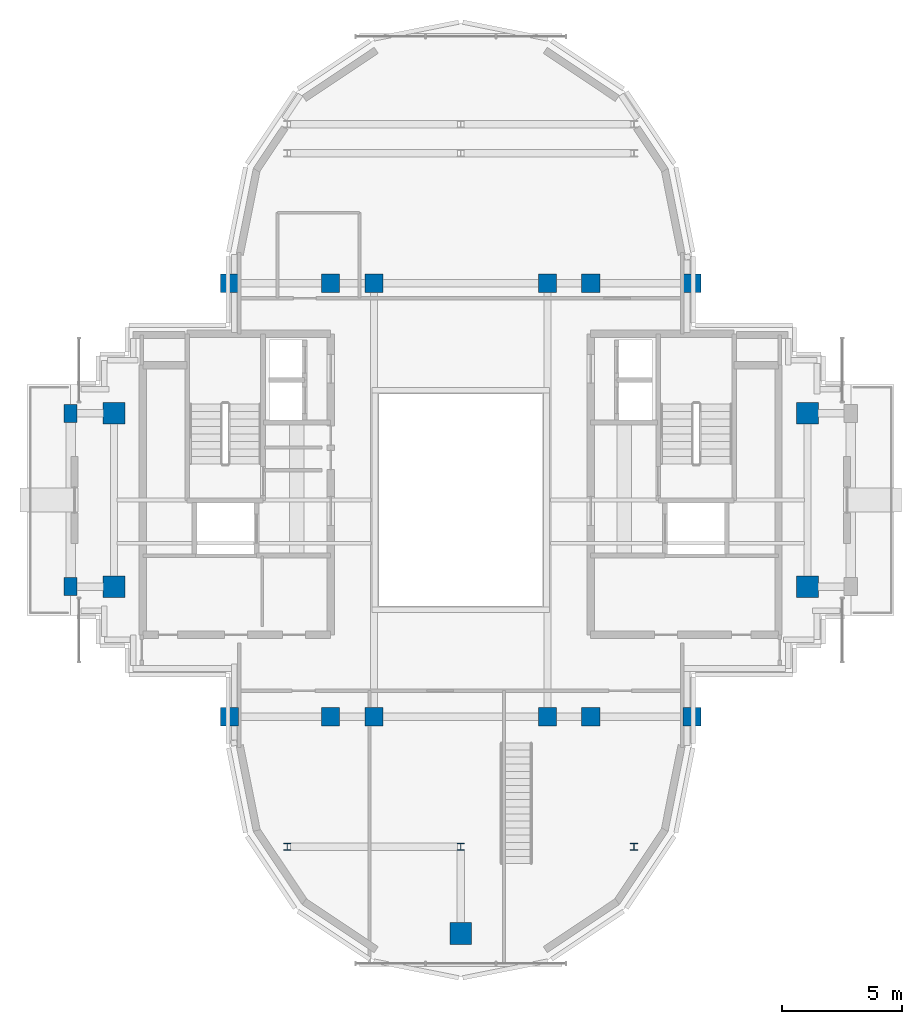
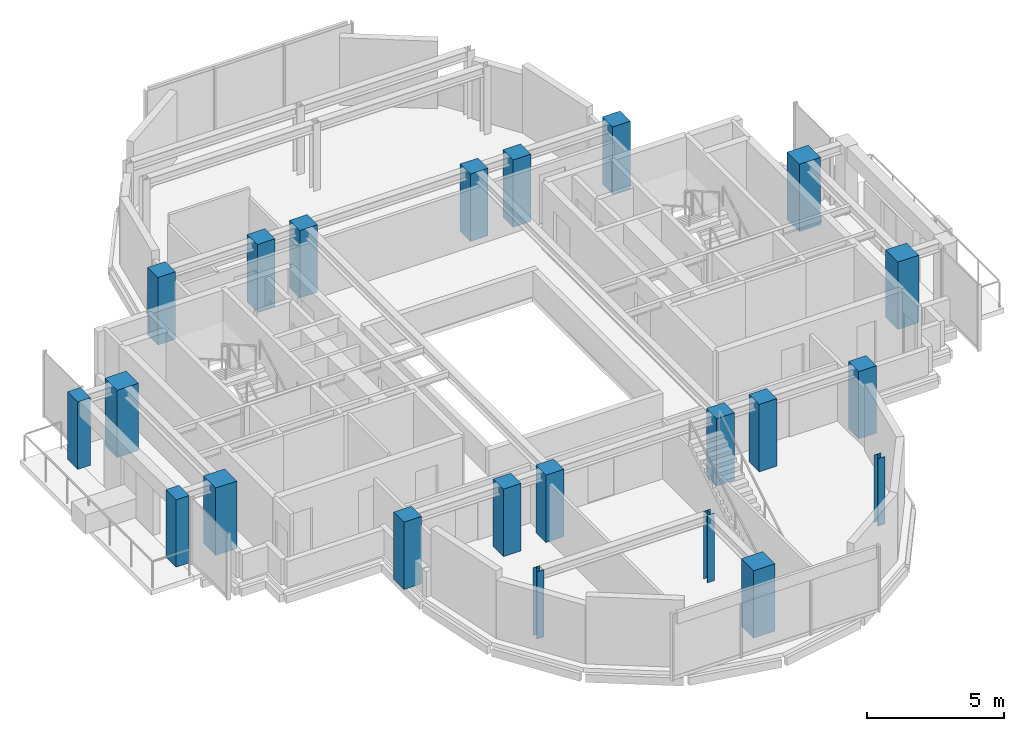
# One storey, part 1 of 12: 22 columns.
"""IFC4 building model written with IfcOpenShell, lengths in metres."""

from ifc_helpers import new_model, si_unit, direction, frame, origin, origin_2d, place, context, subcontext, project, spatial, rectangle, i_section, extrude, source, transform, mapped, material, material_profile, profile_set, type_object, element, save


model = new_model("IFC4")

# Units and contexts
model_context = context("Model", 3, precision=1e-05, world=origin(), true_north=direction((0.0, 1.0)))
body_context = subcontext(model_context, "Body", "Model", "MODEL_VIEW")
ifc_project = project(units=[si_unit("LENGTHUNIT", "METRE"), si_unit("AREAUNIT", "SQUARE_METRE"), si_unit("VOLUMEUNIT", "CUBIC_METRE"), si_unit("PLANEANGLEUNIT", "RADIAN"), si_unit("MASSUNIT", "GRAM", prefix="KILO")], contexts=[model_context])

# Site, building, storey
site_placement = place(None, origin())
site = spatial("IfcSite", under=ifc_project, at=site_placement, CompositionType="ELEMENT")
building_placement = place(site_placement, origin())
building = spatial("IfcBuilding", under=site, at=building_placement, Name="Keilestroom Media Tower", CompositionType="ELEMENT")
storey_placement = place(building_placement, frame((0.0, 0.0, 252.39990234375)))
storey = spatial("IfcBuildingStorey", under=building, at=storey_placement, Name="L70", CompositionType="ELEMENT", Elevation=252.39990234375)

# Columns
ifc_material_1 = material(Name="Precast concrete C40/50", Category="concrete")
ifc_material_profile_1 = material_profile(ifc_material_1, rectangle(XDim=0.550048828125, YDim=0.75, at=origin_2d()), Name="PC 750x550")
ifc_profile_set_1 = profile_set([ifc_material_profile_1], Name="Precast concrete C40/50")
column_type_1 = type_object("IfcColumnType", Name="Structural-Column-PC-750x550", PredefinedType="COLUMN", material=ifc_profile_set_1)
shared_shape_1 = source(origin(), body_context, "Body", "SweptSolid", [
    extrude(rectangle(XDim=0.550048828125, YDim=0.75, at=origin_2d()), origin(), (0.0, 0.0, 1.0), 3.010009765625),
])
for number, where, z_axis, x_axis, name in (
    (1, (-16.199951171875, -3.60009765625, 0.0), (0.0, 0.0, 1.0), (1.0, 0.0, 0.0), "L70 Column PC-3 (-16.2,-3.6)"),
    (2, (-16.199951171875, 3.60009765625, 0.0), (0.0, 0.0, 1.0), (1.0, 0.0, 0.0), "L70 Column PC-3 (-16.2,+3.6)"),
):
    element("IfcColumn", number, at=place(storey_placement, frame(where, z_axis=z_axis, x_axis=x_axis)), inside=storey, type_object=column_type_1, Name=name, PredefinedType="COLUMN", context=body_context, shape_type="MappedRepresentation", body=[
        mapped(shared_shape_1, transform((0.0, 0.0, 0.0), x_axis=(1.0, 0.0, 0.0), y_axis=(0.0, 1.0, 0.0), z_axis=(0.0, 0.0, 1.0), scale=1.0)),
    ])
ifc_material_2 = material(Name="Concrete C55/67", Category="concrete")
ifc_material_profile_2 = material_profile(ifc_material_2, rectangle(XDim=0.89990234375, YDim=0.89990234375, at=origin_2d()), Name="RC 900x900")
ifc_profile_set_2 = profile_set([ifc_material_profile_2], Name="Concrete C55/67")
column_type_2 = type_object("IfcColumnType", Name="Structural-Column-RC-900x900", PredefinedType="COLUMN", material=ifc_profile_set_2)
shared_shape_2 = source(origin(), body_context, "Body", "SweptSolid", [
    extrude(rectangle(XDim=0.89990234375, YDim=0.89990234375, at=origin_2d()), origin(), (0.0, 0.0, 1.0), 3.010009765625),
])
for number, where, z_axis, x_axis, name in (
    (3, (-14.39990234375, -3.60009765625, 0.0), (0.0, 0.0, 1.0), (1.0, 0.0, 0.0), "L70 Column MC-4 (-14.4,-3.6)"),
    (4, (-14.39990234375, 3.60009765625, 0.0), (0.0, 0.0, 1.0), (1.0, 0.0, 0.0), "L70 Column MC-4 (-14.4,+3.6)"),
    (5, (0.0, -18.0, 0.0), (0.0, 0.0, 1.0), (1.0, 0.0, 0.0), "L70 Column MC-4 (+0.0,-18.0)"),
    (6, (14.39990234375, -3.60009765625, 0.0), (0.0, 0.0, 1.0), (1.0, 0.0, 0.0), "L70 Column MC-4 (+14.4,-3.6)"),
    (7, (14.39990234375, 3.60009765625, 0.0), (0.0, 0.0, 1.0), (1.0, 0.0, 0.0), "L70 Column MC-4 (+14.4,+3.6)"),
):
    element("IfcColumn", number, at=place(storey_placement, frame(where, z_axis=z_axis, x_axis=x_axis)), inside=storey, type_object=column_type_2, Name=name, PredefinedType="COLUMN", context=body_context, shape_type="MappedRepresentation", body=[
        mapped(shared_shape_2, transform((0.0, 0.0, 0.0), x_axis=(1.0, 0.0, 0.0), y_axis=(0.0, 1.0, 0.0), z_axis=(0.0, 0.0, 1.0), scale=1.0)),
    ])
ifc_material_3 = material(Name="Concrete C50/60", Category="concrete")
ifc_material_profile_3 = material_profile(ifc_material_3, rectangle(XDim=0.75, YDim=0.75, at=origin_2d()), Name="RC 750x750")
ifc_profile_set_3 = profile_set([ifc_material_profile_3], Name="Concrete C50/60")
column_type_3 = type_object("IfcColumnType", Name="Structural-Column-RC-750x750", PredefinedType="COLUMN", material=ifc_profile_set_3)
shared_shape_3 = source(origin(), body_context, "Body", "SweptSolid", [
    extrude(rectangle(XDim=0.75, YDim=0.75, at=origin_2d()), origin(), (0.0, 0.0, 1.0), 3.010009765625),
])
for number, where, z_axis, x_axis, name in (
    (8, (-9.60009765625, -9.0, 0.0), (0.0, 0.0, 1.0), (1.0, 0.0, 0.0), "L70 Column MC-5 (-9.6,-9.0)"),
    (9, (-9.60009765625, 9.0, 0.0), (0.0, 0.0, 1.0), (1.0, 0.0, 0.0), "L70 Column MC-5 (-9.6,+9.0)"),
    (10, (-5.39990234375, -9.0, 0.0), (0.0, 0.0, 1.0), (1.0, 0.0, 0.0), "L70 Column MC-5 (-5.4,-9.0)"),
    (11, (-5.39990234375, 9.0, 0.0), (0.0, 0.0, 1.0), (1.0, 0.0, 0.0), "L70 Column MC-5 (-5.4,+9.0)"),
    (12, (-3.60009765625, -9.0, 0.0), (0.0, 0.0, 1.0), (1.0, 0.0, 0.0), "L70 Column MC-5 (-3.6,-9.0)"),
    (13, (-3.60009765625, 9.0, 0.0), (0.0, 0.0, 1.0), (1.0, 0.0, 0.0), "L70 Column MC-5 (-3.6,+9.0)"),
    (14, (3.60009765625, -9.0, 0.0), (0.0, 0.0, 1.0), (1.0, 0.0, 0.0), "L70 Column MC-5 (+3.6,-9.0)"),
    (15, (3.60009765625, 9.0, 0.0), (0.0, 0.0, 1.0), (1.0, 0.0, 0.0), "L70 Column MC-5 (+3.6,+9.0)"),
    (16, (5.39990234375, -9.0, 0.0), (0.0, 0.0, 1.0), (1.0, 0.0, 0.0), "L70 Column MC-5 (+5.4,-9.0)"),
    (17, (5.39990234375, 9.0, 0.0), (0.0, 0.0, 1.0), (1.0, 0.0, 0.0), "L70 Column MC-5 (+5.4,+9.0)"),
    (18, (9.60009765625, -9.0, 0.0), (0.0, 0.0, 1.0), (1.0, 0.0, 0.0), "L70 Column MC-5 (+9.6,-9.0)"),
    (19, (9.60009765625, 9.0, 0.0), (0.0, 0.0, 1.0), (1.0, 0.0, 0.0), "L70 Column MC-5 (+9.6,+9.0)"),
):
    element("IfcColumn", number, at=place(storey_placement, frame(where, z_axis=z_axis, x_axis=x_axis)), inside=storey, type_object=column_type_3, Name=name, PredefinedType="COLUMN", context=body_context, shape_type="MappedRepresentation", body=[
        mapped(shared_shape_3, transform((0.0, 0.0, 0.0), x_axis=(1.0, 0.0, 0.0), y_axis=(0.0, 1.0, 0.0), z_axis=(0.0, 0.0, 1.0), scale=1.0)),
    ])
ifc_material_4 = material(Name="Steel S355", Category="steel")
ifc_material_profile_4 = material_profile(ifc_material_4, i_section(OverallWidth=0.300048828125, OverallDepth=0.300048828125, WebThickness=0.010986328125, FlangeThickness=0.01904296875, at=origin_2d()), Name="HEB 300")
ifc_profile_set_4 = profile_set([ifc_material_profile_4], Name="Steel S355")
column_type_4 = type_object("IfcColumnType", Name="Structural-Column-HEB-300", PredefinedType="COLUMN", material=ifc_profile_set_4)
shared_shape_4 = source(origin(), body_context, "Body", "SweptSolid", [
    extrude(i_section(OverallWidth=0.300048828125, OverallDepth=0.300048828125, WebThickness=0.010986328125, FlangeThickness=0.01904296875, at=origin_2d()), origin(), (0.0, 0.0, 1.0), 3.010009765625),
])
for number, where, z_axis, x_axis, name in (
    (20, (-7.199951171875, -14.39990234375, 0.0), (0.0, 0.0, 1.0), (1.0, 0.0, 0.0), "L70 Column SC-5 (-7.2,-14.4)"),
    (21, (0.0, -14.39990234375, 0.0), (0.0, 0.0, 1.0), (1.0, 0.0, 0.0), "L70 Column SC-5 (+0.0,-14.4)"),
    (22, (7.199951171875, -14.39990234375, 0.0), (0.0, 0.0, 1.0), (1.0, 0.0, 0.0), "L70 Column SC-5 (+7.2,-14.4)"),
):
    element("IfcColumn", number, at=place(storey_placement, frame(where, z_axis=z_axis, x_axis=x_axis)), inside=storey, type_object=column_type_4, Name=name, PredefinedType="COLUMN", context=body_context, shape_type="MappedRepresentation", body=[
        mapped(shared_shape_4, transform((0.0, 0.0, 0.0), x_axis=(1.0, 0.0, 0.0), y_axis=(0.0, 1.0, 0.0), z_axis=(0.0, 0.0, 1.0), scale=1.0)),
    ])

save(model, "model.ifc")
